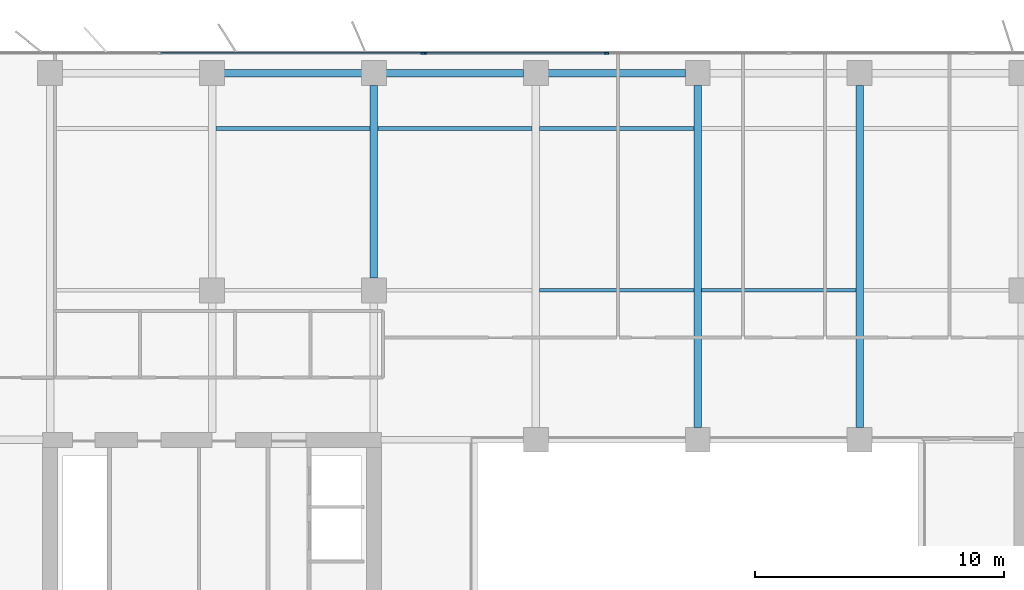
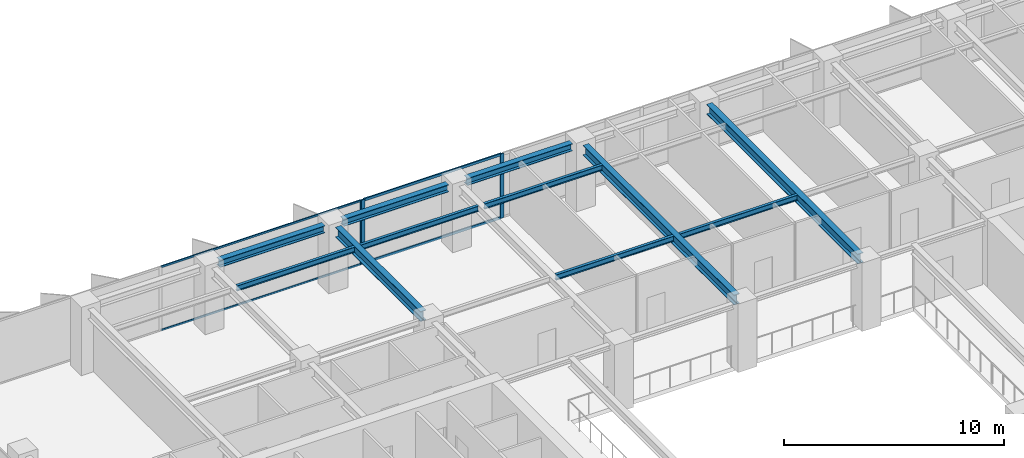
# One storey, part 9 of 22: 11 beams, 7 members, 2 elements without a shape of their own.
"""IFC4 building model written with IfcOpenShell, lengths in metres."""

from ifc_helpers import new_model, si_unit, direction, frame, origin, origin_2d, place, context, subcontext, project, spatial, rectangle, i_section, extrude, material, layer, layer_set, material_profile, profile_set, type_object, element, aggregate, save


model = new_model("IFC4")

# Units and contexts
model_context = context("Model", 3, precision=1e-05, world=origin(), true_north=direction((0.0, 1.0)))
body_context = subcontext(model_context, "Body", "Model", "MODEL_VIEW")
ifc_project = project(units=[si_unit("LENGTHUNIT", "METRE"), si_unit("AREAUNIT", "SQUARE_METRE"), si_unit("VOLUMEUNIT", "CUBIC_METRE"), si_unit("PLANEANGLEUNIT", "RADIAN"), si_unit("MASSUNIT", "GRAM", prefix="KILO")], contexts=[model_context])

# Site, building, storey
site_placement = place(None, origin())
site = spatial("IfcSite", under=ifc_project, at=site_placement, CompositionType="ELEMENT")
building_placement = place(site_placement, origin())
building = spatial("IfcBuilding", under=site, at=building_placement, Name="Putna Gate Headquarters", CompositionType="ELEMENT")
storey_placement = place(building_placement, frame((0.0, 0.0, 186.0)))
storey = spatial("IfcBuildingStorey", under=building, at=storey_placement, Name="L46", CompositionType="ELEMENT", Elevation=186.0)

# Beams
ifc_material_1 = material(Name="Steel S355J2", Category="steel")
ifc_material_profile_1 = material_profile(ifc_material_1, i_section(OverallWidth=0.300048828125, OverallDepth=0.550048828125, WebThickness=0.014892578125, FlangeThickness=0.029052734375, at=origin_2d()), Name="Steel S355J2")
ifc_profile_set_1 = profile_set([ifc_material_profile_1], Name="Steel S355J2")
beam_type_1 = type_object("IfcBeamType", Name="BM-GIRD-Z3-HEB550", PredefinedType="USERDEFINED", material=ifc_profile_set_1)
beam_placement = place(storey_placement, frame((26.0, 39.488037109375, 3.297119140625), z_axis=(0.0, 1.0, 0.0), x_axis=(-1.0, 0.0, 0.0)))
element("IfcBeam", 1, at=beam_placement, inside=storey, type_object=beam_type_1, Name="L46 North Primary Girder X26-2", ObjectType="GIRDER", PredefinedType="USERDEFINED", context=body_context, shape_type="SweptSolid", body=[
    extrude(i_section(OverallWidth=0.300048828125, OverallDepth=0.550048828125, WebThickness=0.014892578125, FlangeThickness=0.029052734375, at=origin_2d()), origin(), (0.0, 0.0, 1.0), 7.743896484375),
])
for number, where, z_axis, x_axis, name in (
    (2, (39.0, 33.488037109375, 3.297119140625), (0.0, 1.0, 0.0), (-1.0, 0.0, 0.0), "L46 North Primary Girder X39"),
    (3, (45.5, 33.488037109375, 3.297119140625), (0.0, 1.0, 0.0), (-1.0, 0.0, 0.0), "L46 North Primary Girder X45"),
):
    element("IfcBeam", number, at=place(storey_placement, frame(where, z_axis=z_axis, x_axis=x_axis)), inside=storey, type_object=beam_type_1, Name=name, ObjectType="GIRDER", PredefinedType="USERDEFINED", context=body_context, shape_type="SweptSolid", body=[
        extrude(i_section(OverallWidth=0.300048828125, OverallDepth=0.550048828125, WebThickness=0.014892578125, FlangeThickness=0.029052734375, at=origin_2d()), origin(), (0.0, 0.0, 1.0), 13.743896484375),
    ])
ifc_material_profile_2 = material_profile(ifc_material_1, i_section(OverallWidth=0.14990234375, OverallDepth=0.300048828125, WebThickness=0.007080078125, FlangeThickness=0.0107421875, at=origin_2d()), Name="Steel S355J2")
ifc_profile_set_2 = profile_set([ifc_material_profile_2], Name="Steel S355J2")
beam_type_2 = type_object("IfcBeamType", Name="BM-SEC-Z3-IPE300", PredefinedType="JOIST", material=ifc_profile_set_2)
for number, where, z_axis, x_axis, name in (
    (4, (19.654052734375, 45.5, 3.422119140625), (1.0, 0.0, 0.0), (0.0, 1.0, 0.0), "L46 North Secondary Beam 2"),
    (5, (26.154052734375, 45.5, 3.422119140625), (1.0, 0.0, 0.0), (0.0, 1.0, 0.0), "L46 North Secondary Beam 3"),
    (6, (32.654052734375, 39.0, 3.422119140625), (1.0, 0.0, 0.0), (0.0, 1.0, 0.0), "L46 North Secondary Beam 4"),
    (7, (32.654052734375, 45.5, 3.422119140625), (1.0, 0.0, 0.0), (0.0, 1.0, 0.0), "L46 North Secondary Beam 4"),
    (8, (39.154052734375, 39.0, 3.422119140625), (1.0, 0.0, 0.0), (0.0, 1.0, 0.0), "L46 North Secondary Beam 5"),
):
    element("IfcBeam", number, at=place(storey_placement, frame(where, z_axis=z_axis, x_axis=x_axis)), inside=storey, type_object=beam_type_2, Name=name, PredefinedType="JOIST", context=body_context, shape_type="SweptSolid", body=[
        extrude(i_section(OverallWidth=0.14990234375, OverallDepth=0.300048828125, WebThickness=0.007080078125, FlangeThickness=0.0107421875, at=origin_2d()), origin(), (0.0, 0.0, 1.0), 6.19189453125),
    ])
ifc_material_profile_3 = material_profile(ifc_material_1, i_section(OverallWidth=0.300048828125, OverallDepth=0.39990234375, WebThickness=0.013427734375, FlangeThickness=0.02392578125, at=origin_2d()), Name="Steel S355J2")
ifc_profile_set_3 = profile_set([ifc_material_profile_3], Name="Steel S355J2")
beam_type_3 = type_object("IfcBeamType", Name="BM-SPAN-Z3-HEB400", PredefinedType="SPANDREL", material=ifc_profile_set_3)
for number, where, z_axis, x_axis, name in (
    (9, (19.988037109375, 47.719970703125, 3.3720703125), (1.0, 0.0, 0.0), (0.0, 1.0, 0.0), "L46 N Perimeter Spandrel 2"),
    (10, (26.488037109375, 47.719970703125, 3.3720703125), (1.0, 0.0, 0.0), (0.0, 1.0, 0.0), "L46 N Perimeter Spandrel 3"),
    (11, (32.988037109375, 47.719970703125, 3.3720703125), (1.0, 0.0, 0.0), (0.0, 1.0, 0.0), "L46 N Perimeter Spandrel 4"),
):
    element("IfcBeam", number, at=place(storey_placement, frame(where, z_axis=z_axis, x_axis=x_axis)), inside=storey, type_object=beam_type_3, Name=name, PredefinedType="SPANDREL", context=body_context, shape_type="SweptSolid", body=[
        extrude(i_section(OverallWidth=0.300048828125, OverallDepth=0.39990234375, WebThickness=0.013427734375, FlangeThickness=0.02392578125, at=origin_2d()), origin(), (0.0, 0.0, 1.0), 5.52392578125),
    ])

# Curtain wall, member
ifc_material_2 = material(Name="Anodised bronze aluminium curtain wall", Category="aluminium")
ifc_layer_1 = layer(ifc_material_2, 0.159912109375)
ifc_layer_set_1 = layer_set([ifc_layer_1], Name="Anodised bronze aluminium curtain wall")
curtain_wall_type_1 = type_object("IfcCurtainWallType", Name="CW-SYS-Z3", PredefinedType="USERDEFINED", material=ifc_layer_set_1)
curtain_wall_1_placement = place(storey_placement, origin())
curtain_wall_1 = element("IfcCurtainWall", 12, at=curtain_wall_1_placement, inside=storey, type_object=curtain_wall_type_1, Name="L46 North West Curtain Wall", ObjectType="STICK CURTAIN WALL", PredefinedType="USERDEFINED")
ifc_material_3 = material(Name="Anodised bronze aluminium EN AW-6060", Category="aluminium")
ifc_material_profile_4 = material_profile(ifc_material_3, rectangle(XDim=0.06494140625, YDim=0.159912109375, at=origin_2d()), Name="Anodised bronze aluminium EN AW-6060")
ifc_profile_set_4 = profile_set([ifc_material_profile_4], Name="Anodised bronze aluminium EN AW-6060")
member_type_1 = type_object("IfcMemberType", Name="MULL-CWM-3", PredefinedType="MULLION", material=ifc_profile_set_4)
member_1_placement = place(storey_placement, frame((27.967529296875, 48.52001953125, 0.0), z_axis=(0.0, 0.0, 1.0), x_axis=(0.0, 1.0, 0.0)))
member_1 = element("IfcMember", 13, at=member_1_placement, type_object=member_type_1, Name="CWS-3 mullion 3", PredefinedType="MULLION", context=body_context, shape_type="SweptSolid", body=[
    extrude(rectangle(XDim=0.06494140625, YDim=0.159912109375, at=origin_2d()), origin(), (0.0, 0.0, 1.0), 3.572021484375),
])

# Curtain wall, members
ifc_layer_2 = layer(ifc_material_2, 0.179931640625)
ifc_layer_set_2 = layer_set([ifc_layer_2], Name="Anodised bronze aluminium curtain wall")
curtain_wall_type_2 = type_object("IfcCurtainWallType", Name="CW-SYS-ATR", PredefinedType="USERDEFINED", material=ifc_layer_set_2)
curtain_wall_2_placement = place(storey_placement, origin())
curtain_wall_2 = element("IfcCurtainWall", 14, at=curtain_wall_2_placement, inside=storey, type_object=curtain_wall_type_2, Name="L46 North Atrium Clear Glazing", ObjectType="ATRIUM GLAZING", PredefinedType="USERDEFINED")
ifc_material_profile_5 = material_profile(ifc_material_3, rectangle(XDim=0.070068359375, YDim=0.179931640625, at=origin_2d()), Name="Anodised bronze aluminium EN AW-6060")
ifc_profile_set_5 = profile_set([ifc_material_profile_5], Name="Anodised bronze aluminium EN AW-6060")
member_type_2 = type_object("IfcMemberType", Name="MULL-CWM-AT", PredefinedType="MULLION", material=ifc_profile_set_5)
member_2_placement = place(storey_placement, frame((28.034912109375, 48.52001953125, 0.0), z_axis=(0.0, 0.0, 1.0), x_axis=(0.0, 1.0, 0.0)))
member_2 = element("IfcMember", 15, at=member_2_placement, type_object=member_type_2, Name="CWS-AT mullion 1", PredefinedType="MULLION", context=body_context, shape_type="SweptSolid", body=[
    extrude(rectangle(XDim=0.070068359375, YDim=0.179931640625, at=origin_2d()), origin(), (0.0, 0.0, 1.0), 3.572021484375),
])
member_3_placement = place(storey_placement, frame((35.333251953125, 48.52001953125, 0.0), z_axis=(0.0, 0.0, 1.0), x_axis=(0.0, 1.0, 0.0)))
member_3 = element("IfcMember", 16, at=member_3_placement, type_object=member_type_2, Name="CWS-AT mullion 2", PredefinedType="MULLION", context=body_context, shape_type="SweptSolid", body=[
    extrude(rectangle(XDim=0.070068359375, YDim=0.179931640625, at=origin_2d()), origin(), (0.0, 0.0, 1.0), 3.572021484375),
])

# Member
ifc_material_profile_6 = material_profile(ifc_material_3, rectangle(XDim=0.06005859375, YDim=0.10009765625, at=origin_2d()), Name="Anodised bronze aluminium EN AW-6060")
ifc_profile_set_6 = profile_set([ifc_material_profile_6], Name="Anodised bronze aluminium EN AW-6060")
member_type_3 = type_object("IfcMemberType", Name="TRAN-CWT-3", PredefinedType="USERDEFINED", material=ifc_profile_set_6)
member_4_placement = place(storey_placement, frame((17.4326171875, 48.52001953125, 0.030029296875), z_axis=(1.0, 0.0, 0.0), x_axis=(0.0, 1.0, 0.0)))
member_4 = element("IfcMember", 17, at=member_4_placement, type_object=member_type_3, Name="CWS-3 transom 2.1", ObjectType="TRANSOM", PredefinedType="USERDEFINED", context=body_context, shape_type="SweptSolid", body=[
    extrude(rectangle(XDim=0.06005859375, YDim=0.10009765625, at=origin_2d()), origin(), (0.0, 0.0, 1.0), 10.50244140625),
])

member_5_placement = place(storey_placement, frame((17.4326171875, 48.52001953125, 3.5419921875), z_axis=(1.0, 0.0, 0.0), x_axis=(0.0, 1.0, 0.0)))
member_5 = element("IfcMember", 18, at=member_5_placement, type_object=member_type_3, Name="CWS-3 transom 2.2", ObjectType="TRANSOM", PredefinedType="USERDEFINED", context=body_context, shape_type="SweptSolid", body=[
    extrude(rectangle(XDim=0.06005859375, YDim=0.10009765625, at=origin_2d()), origin(), (0.0, 0.0, 1.0), 10.50244140625),
])

aggregate(curtain_wall_1, [member_1, member_4, member_5])

ifc_material_profile_7 = material_profile(ifc_material_3, rectangle(XDim=0.070068359375, YDim=0.139892578125, at=origin_2d()), Name="Anodised bronze aluminium EN AW-6060")
ifc_profile_set_7 = profile_set([ifc_material_profile_7], Name="Anodised bronze aluminium EN AW-6060")
member_type_4 = type_object("IfcMemberType", Name="TRAN-CWT-AT", PredefinedType="USERDEFINED", material=ifc_profile_set_7)
member_6_placement = place(storey_placement, frame((28.070068359375, 48.52001953125, 0.034912109375), z_axis=(1.0, 0.0, 0.0), x_axis=(0.0, 1.0, 0.0)))
member_6 = element("IfcMember", 19, at=member_6_placement, type_object=member_type_4, Name="CWS-AT transom 1.1", ObjectType="TRANSOM", PredefinedType="USERDEFINED", context=body_context, shape_type="SweptSolid", body=[
    extrude(rectangle(XDim=0.070068359375, YDim=0.139892578125, at=origin_2d()), origin(), (0.0, 0.0, 1.0), 7.228271484375),
])

member_7_placement = place(storey_placement, frame((28.070068359375, 48.52001953125, 3.537109375), z_axis=(1.0, 0.0, 0.0), x_axis=(0.0, 1.0, 0.0)))
member_7 = element("IfcMember", 20, at=member_7_placement, type_object=member_type_4, Name="CWS-AT transom 1.2", ObjectType="TRANSOM", PredefinedType="USERDEFINED", context=body_context, shape_type="SweptSolid", body=[
    extrude(rectangle(XDim=0.070068359375, YDim=0.139892578125, at=origin_2d()), origin(), (0.0, 0.0, 1.0), 7.228271484375),
])

aggregate(curtain_wall_2, [member_2, member_3, member_6, member_7])

save(model, "model.ifc")
